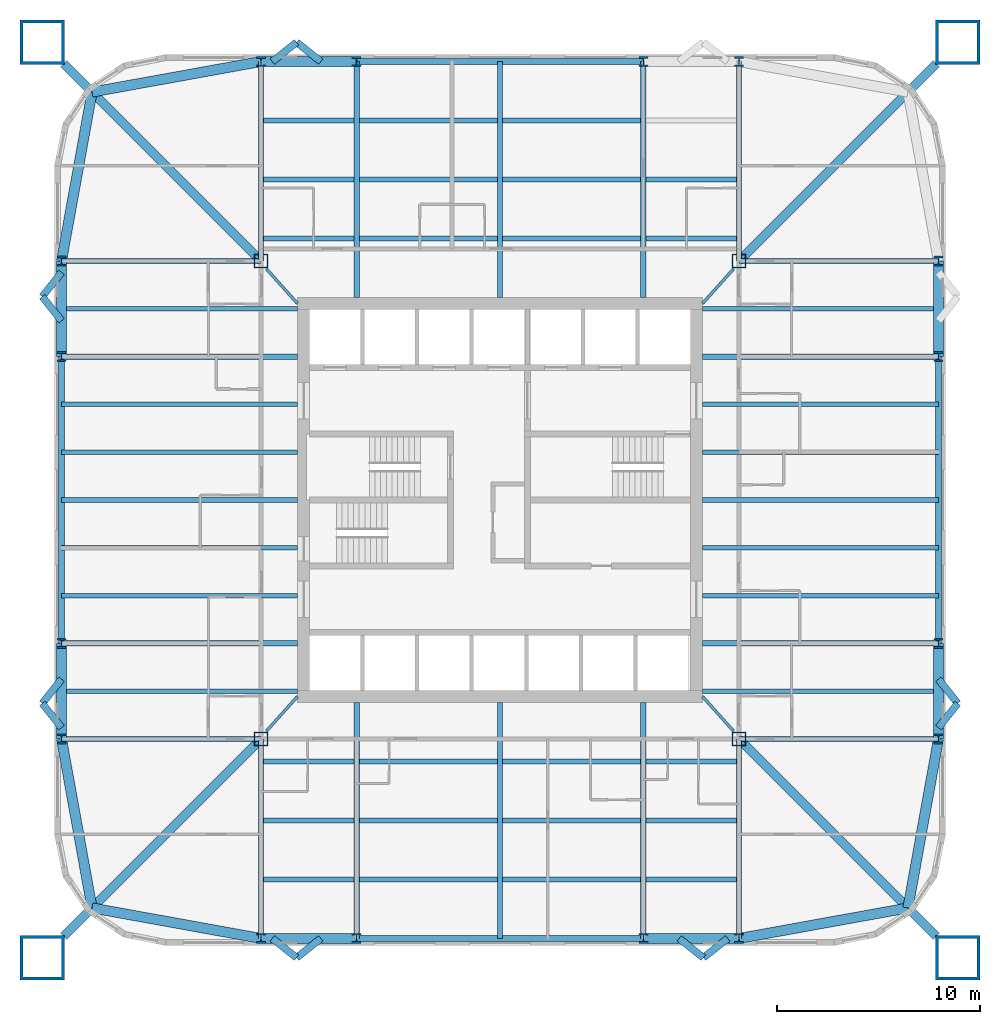
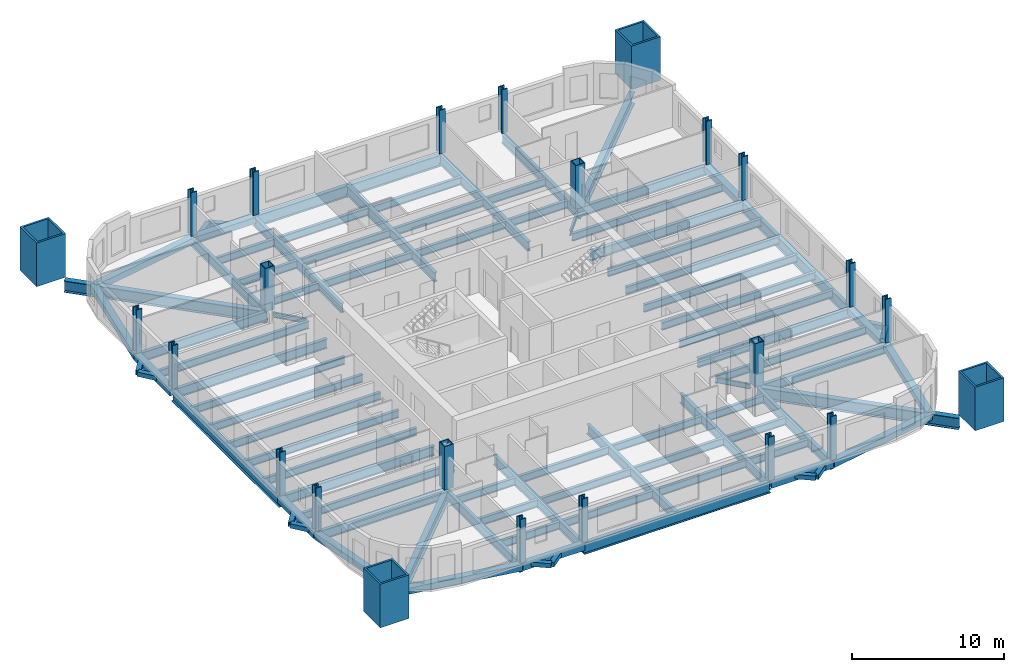
# One storey, part 1 of 9: 92 beams, 24 columns.
"""IFC4 building model written with IfcOpenShell, lengths in metres."""

from ifc_helpers import new_model, si_unit, direction, frame, origin, origin_2d, place, context, subcontext, project, spatial, hollow_rectangle, i_section, extrude, material, material_profile, profile_set, type_object, element, save


model = new_model("IFC4")

# Units and contexts
model_context = context("Model", 3, precision=1e-05, world=origin(), true_north=direction((0.0, 1.0)))
body_context = subcontext(model_context, "Body", "Model", "MODEL_VIEW")
ifc_project = project(units=[si_unit("LENGTHUNIT", "METRE"), si_unit("AREAUNIT", "SQUARE_METRE"), si_unit("VOLUMEUNIT", "CUBIC_METRE"), si_unit("PLANEANGLEUNIT", "RADIAN"), si_unit("MASSUNIT", "GRAM", prefix="KILO")], contexts=[model_context])

# Site, building, storey
site_placement = place(None, origin())
site = spatial("IfcSite", under=ifc_project, at=site_placement, CompositionType="ELEMENT")
building_placement = place(site_placement, origin())
building = spatial("IfcBuilding", under=site, at=building_placement, Name="Turquesa Mirador Hotel Tower", CompositionType="ELEMENT")
storey_placement = place(building_placement, frame((0.0, 0.0, 42.5)))
storey = spatial("IfcBuildingStorey", under=building, at=storey_placement, Name="L10", CompositionType="ELEMENT", Elevation=42.5)

# Columns
ifc_material_1 = material(Name="Steel ASTM A572 Grade 50", Category="steel")
ifc_material_profile_1 = material_profile(ifc_material_1, hollow_rectangle(XDim=0.699951171875, YDim=0.699951171875, WallThickness=0.06005859375, at=origin_2d()), Name="BOX700X700X60")
ifc_profile_set_1 = profile_set([ifc_material_profile_1], Name="Steel ASTM A572 Grade 50")
column_type_1 = type_object("IfcColumnType", Name="COLUMN BOX700X700X60", PredefinedType="COLUMN", material=ifc_profile_set_1)
for number, where, z_axis, x_axis, name in (
    (1, (43.199951171875, 33.199951171875, 0.0), (0.0, 0.0, 1.0), (1.0, 0.0, 0.0), "COL-L10-K--11.80--11.80"),
    (2, (43.199951171875, 56.800048828125, 0.0), (0.0, 0.0, 1.0), (1.0, 0.0, 0.0), "COL-L10-K--11.80-+11.80"),
    (3, (66.800048828125, 33.199951171875, 0.0), (0.0, 0.0, 1.0), (1.0, 0.0, 0.0), "COL-L10-K-+11.80--11.80"),
    (4, (66.800048828125, 56.800048828125, 0.0), (0.0, 0.0, 1.0), (1.0, 0.0, 0.0), "COL-L10-K-+11.80-+11.80"),
):
    element("IfcColumn", number, at=place(storey_placement, frame(where, z_axis=z_axis, x_axis=x_axis)), inside=storey, type_object=column_type_1, Name=name, PredefinedType="COLUMN", context=body_context, shape_type="SweptSolid", body=[
        extrude(hollow_rectangle(XDim=0.699951171875, YDim=0.699951171875, WallThickness=0.06005859375, at=origin_2d()), origin(), (0.0, 0.0, 1.0), 3.5),
    ])
ifc_material_2 = material(Name="Steel ASTM A992 Grade 50", Category="steel")
ifc_material_profile_2 = material_profile(ifc_material_2, i_section(OverallWidth=0.431884765625, OverallDepth=0.497802734375, WebThickness=0.0556640625, FlangeThickness=0.0888671875, at=origin_2d()), Name="W14X500")
ifc_profile_set_2 = profile_set([ifc_material_profile_2], Name="Steel ASTM A992 Grade 50")
column_type_2 = type_object("IfcColumnType", Name="COLUMN W14X500", PredefinedType="COLUMN", material=ifc_profile_set_2)
for number, where, z_axis, x_axis, name in (
    (5, (33.35009765625, 33.199951171875, 0.0), (0.0, 0.0, 1.0), (1.0, 0.0, 0.0), "COL-L10-P--21.65--11.80"),
    (6, (33.35009765625, 37.919921875, 0.0), (0.0, 0.0, 1.0), (1.0, 0.0, 0.0), "COL-L10-P--21.65--7.08"),
    (7, (33.35009765625, 52.080078125, 0.0), (0.0, 0.0, 1.0), (1.0, 0.0, 0.0), "COL-L10-P--21.65-+7.08"),
    (8, (33.35009765625, 56.800048828125, 0.0), (0.0, 0.0, 1.0), (1.0, 0.0, 0.0), "COL-L10-P--21.65-+11.80"),
    (9, (43.199951171875, 23.35009765625, 0.0), (0.0, 0.0, 1.0), (1.0, 0.0, 0.0), "COL-L10-P--11.80--21.65"),
    (10, (43.199951171875, 66.64990234375, 0.0), (0.0, 0.0, 1.0), (1.0, 0.0, 0.0), "COL-L10-P--11.80-+21.65"),
    (11, (47.919921875, 23.35009765625, 0.0), (0.0, 0.0, 1.0), (1.0, 0.0, 0.0), "COL-L10-P--7.08--21.65"),
    (12, (47.919921875, 66.64990234375, 0.0), (0.0, 0.0, 1.0), (1.0, 0.0, 0.0), "COL-L10-P--7.08-+21.65"),
    (13, (62.080078125, 23.35009765625, 0.0), (0.0, 0.0, 1.0), (1.0, 0.0, 0.0), "COL-L10-P-+7.08--21.65"),
    (14, (62.080078125, 66.64990234375, 0.0), (0.0, 0.0, 1.0), (1.0, 0.0, 0.0), "COL-L10-P-+7.08-+21.65"),
    (15, (66.800048828125, 23.35009765625, 0.0), (0.0, 0.0, 1.0), (1.0, 0.0, 0.0), "COL-L10-P-+11.80--21.65"),
    (16, (66.800048828125, 66.64990234375, 0.0), (0.0, 0.0, 1.0), (1.0, 0.0, 0.0), "COL-L10-P-+11.80-+21.65"),
    (17, (76.64990234375, 33.199951171875, 0.0), (0.0, 0.0, 1.0), (1.0, 0.0, 0.0), "COL-L10-P-+21.65--11.80"),
    (18, (76.64990234375, 37.919921875, 0.0), (0.0, 0.0, 1.0), (1.0, 0.0, 0.0), "COL-L10-P-+21.65--7.08"),
    (19, (76.64990234375, 52.080078125, 0.0), (0.0, 0.0, 1.0), (1.0, 0.0, 0.0), "COL-L10-P-+21.65-+7.08"),
    (20, (76.64990234375, 56.800048828125, 0.0), (0.0, 0.0, 1.0), (1.0, 0.0, 0.0), "COL-L10-P-+21.65-+11.80"),
):
    element("IfcColumn", number, at=place(storey_placement, frame(where, z_axis=z_axis, x_axis=x_axis)), inside=storey, type_object=column_type_2, Name=name, PredefinedType="COLUMN", context=body_context, shape_type="SweptSolid", body=[
        extrude(i_section(OverallWidth=0.431884765625, OverallDepth=0.497802734375, WebThickness=0.0556640625, FlangeThickness=0.0888671875, at=origin_2d()), origin(), (0.0, 0.0, 1.0), 3.5),
    ])
ifc_material_3 = material(Name="Steel ASTM A514 Grade Q", Category="steel")
ifc_material_profile_3 = material_profile(ifc_material_3, hollow_rectangle(XDim=2.199951171875, YDim=2.199951171875, WallThickness=0.14990234375, at=origin_2d()), Name="BOX2200X2200X150")
ifc_profile_set_3 = profile_set([ifc_material_profile_3], Name="Steel ASTM A514 Grade Q")
column_type_3 = type_object("IfcColumnType", Name="MEGA COLUMN BOX2200X2200X150", PredefinedType="COLUMN", material=ifc_profile_set_3)
for number, where, z_axis, x_axis, name in (
    (21, (77.60009765625, 67.60009765625, 0.0), (0.0, 0.0, 1.0), (1.0, 0.0, 0.0), "Mega column M1"),
    (22, (32.39990234375, 67.60009765625, 0.0), (0.0, 0.0, 1.0), (1.0, 0.0, 0.0), "Mega column M2"),
    (23, (32.39990234375, 22.39990234375, 0.0), (0.0, 0.0, 1.0), (1.0, 0.0, 0.0), "Mega column M3"),
    (24, (77.60009765625, 22.39990234375, 0.0), (0.0, 0.0, 1.0), (1.0, 0.0, 0.0), "Mega column M4"),
):
    element("IfcColumn", number, at=place(storey_placement, frame(where, z_axis=z_axis, x_axis=x_axis)), inside=storey, type_object=column_type_3, Name=name, PredefinedType="COLUMN", context=body_context, shape_type="SweptSolid", body=[
        extrude(hollow_rectangle(XDim=2.199951171875, YDim=2.199951171875, WallThickness=0.14990234375, at=origin_2d()), origin(), (0.0, 0.0, 1.0), 3.5),
    ])

# Beams
ifc_material_4 = material(Name="Steel ASTM A572 Grade 50", Category="steel")
ifc_material_profile_4 = material_profile(ifc_material_4, hollow_rectangle(XDim=0.5, YDim=0.5, WallThickness=0.01611328125, at=origin_2d()), Name="BOX500X500X16")
ifc_profile_set_4 = profile_set([ifc_material_profile_4], Name="Steel ASTM A572 Grade 50")
beam_type_1 = type_object("IfcBeamType", Name="BEAM BOX500X500X16", PredefinedType="BEAM", material=ifc_profile_set_4)
for number, where, z_axis, x_axis, name in (
    (25, (43.199951171875, 66.64990234375, -0.419921875), (1.0, 0.0, 0.0), (0.0, 1.0, 0.0), "EB-L10-N-L"),
    (26, (43.199951171875, 23.35009765625, -0.419921875), (1.0, 0.0, 0.0), (0.0, 1.0, 0.0), "EB-L10-S-L"),
    (27, (62.080078125, 23.35009765625, -0.419921875), (1.0, 0.0, 0.0), (0.0, 1.0, 0.0), "EB-L10-S-R"),
    (28, (76.64990234375, 33.199951171875, -0.419921875), (0.0, 1.0, 0.0), (-1.0, 0.0, 0.0), "EB-L10-E-L"),
    (29, (76.64990234375, 52.080078125, -0.419921875), (0.0, 1.0, 0.0), (-1.0, 0.0, 0.0), "EB-L10-E-R"),
    (30, (33.35009765625, 33.199951171875, -0.419921875), (0.0, 1.0, 0.0), (-1.0, 0.0, 0.0), "EB-L10-W-L"),
    (31, (33.35009765625, 52.080078125, -0.419921875), (0.0, 1.0, 0.0), (-1.0, 0.0, 0.0), "EB-L10-W-R"),
):
    element("IfcBeam", number, at=place(storey_placement, frame(where, z_axis=z_axis, x_axis=x_axis)), inside=storey, type_object=beam_type_1, Name=name, PredefinedType="BEAM", context=body_context, shape_type="SweptSolid", body=[
        extrude(hollow_rectangle(XDim=0.5, YDim=0.5, WallThickness=0.01611328125, at=origin_2d()), origin(), (0.0, 0.0, 1.0), 4.719970703125),
    ])
for number, where, z_axis, x_axis, name in (
    (32, (33.35009765625, 56.800048828125, -0.419921875), (0.177932387818, 0.984042715214, 0.0), (-0.984042715214, 0.177932387818, 0.0), "KE-L10-2-0"),
    (33, (34.8583984375, 65.1416015625, -0.419921875), (0.984042715214, 0.177932387818, 0.0), (-0.177932387818, 0.984042715214, 0.0), "KE-L10-2-1"),
    (34, (33.35009765625, 33.199951171875, -0.419921875), (0.177932387818, -0.984042715214, 0.0), (0.984042715214, 0.177932387818, 0.0), "KE-L10-3-0"),
    (35, (34.8583984375, 24.8583984375, -0.419921875), (0.984042715214, -0.177932387818, 0.0), (0.177932387818, 0.984042715214, 0.0), "KE-L10-3-1"),
    (36, (76.64990234375, 33.199951171875, -0.419921875), (-0.177932387818, -0.984042715214, 0.0), (0.984042715214, -0.177932387818, 0.0), "KE-L10-4-0"),
    (37, (75.1416015625, 24.8583984375, -0.419921875), (-0.984042715214, -0.177932387818, 0.0), (0.177932387818, -0.984042715214, 0.0), "KE-L10-4-1"),
):
    element("IfcBeam", number, at=place(storey_placement, frame(where, z_axis=z_axis, x_axis=x_axis)), inside=storey, type_object=beam_type_1, Name=name, PredefinedType="BEAM", context=body_context, shape_type="SweptSolid", body=[
        extrude(hollow_rectangle(XDim=0.5, YDim=0.5, WallThickness=0.01611328125, at=origin_2d()), origin(), (0.0, 0.0, 1.0), 8.476806640625),
    ])
ifc_material_5 = material(Name="Steel ASTM A992 Grade 50", Category="steel")
ifc_material_profile_5 = material_profile(ifc_material_5, i_section(OverallWidth=0.140380859375, OverallDepth=0.40380859375, WebThickness=0.007080078125, FlangeThickness=0.01123046875, at=origin_2d()), Name="W16X31")
ifc_profile_set_5 = profile_set([ifc_material_profile_5], Name="Steel ASTM A992 Grade 50")
beam_type_2 = type_object("IfcBeamType", Name="BEAM W16X31", PredefinedType="BEAM", material=ifc_profile_set_5)
for number, where, z_axis, x_axis, name in (
    (38, (66.529541015625, 56.40966796875, -0.371826171875), (-0.666745084392, -0.745285846129, 0.0), (0.745285846129, -0.666745084392, 0.0), "KT-L10-1"),
    (39, (43.470458984375, 56.40966796875, -0.371826171875), (0.666745084392, -0.745285846129, 0.0), (0.745285846129, 0.666745084392, 0.0), "KT-L10-2"),
    (40, (43.470458984375, 33.59033203125, -0.371826171875), (0.666745084392, 0.745285846129, 0.0), (-0.745285846129, 0.666745084392, 0.0), "KT-L10-3"),
    (41, (66.529541015625, 33.59033203125, -0.371826171875), (-0.666745084392, 0.745285846129, 0.0), (-0.745285846129, -0.666745084392, 0.0), "KT-L10-4"),
):
    element("IfcBeam", number, at=place(storey_placement, frame(where, z_axis=z_axis, x_axis=x_axis)), inside=storey, type_object=beam_type_2, Name=name, PredefinedType="BEAM", context=body_context, shape_type="SweptSolid", body=[
        extrude(i_section(OverallWidth=0.140380859375, OverallDepth=0.40380859375, WebThickness=0.007080078125, FlangeThickness=0.01123046875, at=origin_2d()), origin(), (0.0, 0.0, 1.0), 2.2939453125),
    ])
ifc_material_6 = material(Name="Steel ASTM A992 Grade 50", Category="steel")
ifc_material_profile_6 = material_profile(ifc_material_6, i_section(OverallWidth=0.228271484375, OverallDepth=0.607177734375, WebThickness=0.01123046875, FlangeThickness=0.017333984375, at=origin_2d()), Name="W24X76")
ifc_profile_set_6 = profile_set([ifc_material_profile_6], Name="Steel ASTM A992 Grade 50")
beam_type_3 = type_object("IfcBeamType", Name="BEAM W24X76", PredefinedType="BEAM", material=ifc_profile_set_6)
beam_1_placement = place(storey_placement, frame((43.333251953125, 57.912109375, -0.4736328125), z_axis=(1.0, 0.0, 0.0), x_axis=(0.0, 1.0, 0.0)))
element("IfcBeam", 42, at=beam_1_placement, inside=storey, type_object=beam_type_3, Name="IB-L10-N-1-0", PredefinedType="BEAM", context=body_context, shape_type="SweptSolid", body=[
    extrude(i_section(OverallWidth=0.228271484375, OverallDepth=0.607177734375, WebThickness=0.01123046875, FlangeThickness=0.017333984375, at=origin_2d()), origin(), (0.0, 0.0, 1.0), 4.453369140625),
])
for number, where, z_axis, x_axis, name in (
    (43, (48.053466796875, 57.912109375, -0.4736328125), (1.0, 0.0, 0.0), (0.0, 1.0, 0.0), "IB-L10-N-1-1"),
    (44, (55.13330078125, 57.912109375, -0.4736328125), (1.0, 0.0, 0.0), (0.0, 1.0, 0.0), "IB-L10-N-1-2"),
):
    element("IfcBeam", number, at=place(storey_placement, frame(where, z_axis=z_axis, x_axis=x_axis)), inside=storey, type_object=beam_type_3, Name=name, PredefinedType="BEAM", context=body_context, shape_type="SweptSolid", body=[
        extrude(i_section(OverallWidth=0.228271484375, OverallDepth=0.607177734375, WebThickness=0.01123046875, FlangeThickness=0.017333984375, at=origin_2d()), origin(), (0.0, 0.0, 1.0), 6.813232421875),
    ])
for number, where, z_axis, x_axis, name in (
    (45, (62.21337890625, 57.912109375, -0.4736328125), (1.0, 0.0, 0.0), (0.0, 1.0, 0.0), "IB-L10-N-1-3"),
    (46, (43.333251953125, 60.824951171875, -0.4736328125), (1.0, 0.0, 0.0), (0.0, 1.0, 0.0), "IB-L10-N-2-0"),
):
    element("IfcBeam", number, at=place(storey_placement, frame(where, z_axis=z_axis, x_axis=x_axis)), inside=storey, type_object=beam_type_3, Name=name, PredefinedType="BEAM", context=body_context, shape_type="SweptSolid", body=[
        extrude(i_section(OverallWidth=0.228271484375, OverallDepth=0.607177734375, WebThickness=0.01123046875, FlangeThickness=0.017333984375, at=origin_2d()), origin(), (0.0, 0.0, 1.0), 4.453369140625),
    ])
for number, where, z_axis, x_axis, name in (
    (47, (48.053466796875, 60.824951171875, -0.4736328125), (1.0, 0.0, 0.0), (0.0, 1.0, 0.0), "IB-L10-N-2-1"),
    (48, (55.13330078125, 60.824951171875, -0.4736328125), (1.0, 0.0, 0.0), (0.0, 1.0, 0.0), "IB-L10-N-2-2"),
):
    element("IfcBeam", number, at=place(storey_placement, frame(where, z_axis=z_axis, x_axis=x_axis)), inside=storey, type_object=beam_type_3, Name=name, PredefinedType="BEAM", context=body_context, shape_type="SweptSolid", body=[
        extrude(i_section(OverallWidth=0.228271484375, OverallDepth=0.607177734375, WebThickness=0.01123046875, FlangeThickness=0.017333984375, at=origin_2d()), origin(), (0.0, 0.0, 1.0), 6.813232421875),
    ])
for number, where, z_axis, x_axis, name in (
    (49, (62.21337890625, 60.824951171875, -0.4736328125), (1.0, 0.0, 0.0), (0.0, 1.0, 0.0), "IB-L10-N-2-3"),
    (50, (43.333251953125, 63.737060546875, -0.4736328125), (1.0, 0.0, 0.0), (0.0, 1.0, 0.0), "IB-L10-N-3-0"),
):
    element("IfcBeam", number, at=place(storey_placement, frame(where, z_axis=z_axis, x_axis=x_axis)), inside=storey, type_object=beam_type_3, Name=name, PredefinedType="BEAM", context=body_context, shape_type="SweptSolid", body=[
        extrude(i_section(OverallWidth=0.228271484375, OverallDepth=0.607177734375, WebThickness=0.01123046875, FlangeThickness=0.017333984375, at=origin_2d()), origin(), (0.0, 0.0, 1.0), 4.453369140625),
    ])
for number, where, z_axis, x_axis, name in (
    (51, (48.053466796875, 63.737060546875, -0.4736328125), (1.0, 0.0, 0.0), (0.0, 1.0, 0.0), "IB-L10-N-3-1"),
    (52, (55.13330078125, 63.737060546875, -0.4736328125), (1.0, 0.0, 0.0), (0.0, 1.0, 0.0), "IB-L10-N-3-2"),
):
    element("IfcBeam", number, at=place(storey_placement, frame(where, z_axis=z_axis, x_axis=x_axis)), inside=storey, type_object=beam_type_3, Name=name, PredefinedType="BEAM", context=body_context, shape_type="SweptSolid", body=[
        extrude(i_section(OverallWidth=0.228271484375, OverallDepth=0.607177734375, WebThickness=0.01123046875, FlangeThickness=0.017333984375, at=origin_2d()), origin(), (0.0, 0.0, 1.0), 6.813232421875),
    ])
beam_2_placement = place(storey_placement, frame((43.333251953125, 32.087890625, -0.4736328125), z_axis=(1.0, 0.0, 0.0), x_axis=(0.0, 1.0, 0.0)))
element("IfcBeam", 53, at=beam_2_placement, inside=storey, type_object=beam_type_3, Name="IB-L10-S-1-0", PredefinedType="BEAM", context=body_context, shape_type="SweptSolid", body=[
    extrude(i_section(OverallWidth=0.228271484375, OverallDepth=0.607177734375, WebThickness=0.01123046875, FlangeThickness=0.017333984375, at=origin_2d()), origin(), (0.0, 0.0, 1.0), 4.453369140625),
])
for number, where, z_axis, x_axis, name in (
    (54, (48.053466796875, 32.087890625, -0.4736328125), (1.0, 0.0, 0.0), (0.0, 1.0, 0.0), "IB-L10-S-1-1"),
    (55, (55.13330078125, 32.087890625, -0.4736328125), (1.0, 0.0, 0.0), (0.0, 1.0, 0.0), "IB-L10-S-1-2"),
):
    element("IfcBeam", number, at=place(storey_placement, frame(where, z_axis=z_axis, x_axis=x_axis)), inside=storey, type_object=beam_type_3, Name=name, PredefinedType="BEAM", context=body_context, shape_type="SweptSolid", body=[
        extrude(i_section(OverallWidth=0.228271484375, OverallDepth=0.607177734375, WebThickness=0.01123046875, FlangeThickness=0.017333984375, at=origin_2d()), origin(), (0.0, 0.0, 1.0), 6.813232421875),
    ])
for number, where, z_axis, x_axis, name in (
    (56, (62.21337890625, 32.087890625, -0.4736328125), (1.0, 0.0, 0.0), (0.0, 1.0, 0.0), "IB-L10-S-1-3"),
    (57, (43.333251953125, 29.175048828125, -0.4736328125), (1.0, 0.0, 0.0), (0.0, 1.0, 0.0), "IB-L10-S-2-0"),
):
    element("IfcBeam", number, at=place(storey_placement, frame(where, z_axis=z_axis, x_axis=x_axis)), inside=storey, type_object=beam_type_3, Name=name, PredefinedType="BEAM", context=body_context, shape_type="SweptSolid", body=[
        extrude(i_section(OverallWidth=0.228271484375, OverallDepth=0.607177734375, WebThickness=0.01123046875, FlangeThickness=0.017333984375, at=origin_2d()), origin(), (0.0, 0.0, 1.0), 4.453369140625),
    ])
for number, where, z_axis, x_axis, name in (
    (58, (48.053466796875, 29.175048828125, -0.4736328125), (1.0, 0.0, 0.0), (0.0, 1.0, 0.0), "IB-L10-S-2-1"),
    (59, (55.13330078125, 29.175048828125, -0.4736328125), (1.0, 0.0, 0.0), (0.0, 1.0, 0.0), "IB-L10-S-2-2"),
):
    element("IfcBeam", number, at=place(storey_placement, frame(where, z_axis=z_axis, x_axis=x_axis)), inside=storey, type_object=beam_type_3, Name=name, PredefinedType="BEAM", context=body_context, shape_type="SweptSolid", body=[
        extrude(i_section(OverallWidth=0.228271484375, OverallDepth=0.607177734375, WebThickness=0.01123046875, FlangeThickness=0.017333984375, at=origin_2d()), origin(), (0.0, 0.0, 1.0), 6.813232421875),
    ])
for number, where, z_axis, x_axis, name in (
    (60, (62.21337890625, 29.175048828125, -0.4736328125), (1.0, 0.0, 0.0), (0.0, 1.0, 0.0), "IB-L10-S-2-3"),
    (61, (43.333251953125, 26.262939453125, -0.4736328125), (1.0, 0.0, 0.0), (0.0, 1.0, 0.0), "IB-L10-S-3-0"),
):
    element("IfcBeam", number, at=place(storey_placement, frame(where, z_axis=z_axis, x_axis=x_axis)), inside=storey, type_object=beam_type_3, Name=name, PredefinedType="BEAM", context=body_context, shape_type="SweptSolid", body=[
        extrude(i_section(OverallWidth=0.228271484375, OverallDepth=0.607177734375, WebThickness=0.01123046875, FlangeThickness=0.017333984375, at=origin_2d()), origin(), (0.0, 0.0, 1.0), 4.453369140625),
    ])
for number, where, z_axis, x_axis, name in (
    (62, (48.053466796875, 26.262939453125, -0.4736328125), (1.0, 0.0, 0.0), (0.0, 1.0, 0.0), "IB-L10-S-3-1"),
    (63, (55.13330078125, 26.262939453125, -0.4736328125), (1.0, 0.0, 0.0), (0.0, 1.0, 0.0), "IB-L10-S-3-2"),
):
    element("IfcBeam", number, at=place(storey_placement, frame(where, z_axis=z_axis, x_axis=x_axis)), inside=storey, type_object=beam_type_3, Name=name, PredefinedType="BEAM", context=body_context, shape_type="SweptSolid", body=[
        extrude(i_section(OverallWidth=0.228271484375, OverallDepth=0.607177734375, WebThickness=0.01123046875, FlangeThickness=0.017333984375, at=origin_2d()), origin(), (0.0, 0.0, 1.0), 6.813232421875),
    ])
beam_3_placement = place(storey_placement, frame((62.21337890625, 26.262939453125, -0.4736328125), z_axis=(1.0, 0.0, 0.0), x_axis=(0.0, 1.0, 0.0)))
element("IfcBeam", 64, at=beam_3_placement, inside=storey, type_object=beam_type_3, Name="IB-L10-S-3-3", PredefinedType="BEAM", context=body_context, shape_type="SweptSolid", body=[
    extrude(i_section(OverallWidth=0.228271484375, OverallDepth=0.607177734375, WebThickness=0.01123046875, FlangeThickness=0.017333984375, at=origin_2d()), origin(), (0.0, 0.0, 1.0), 4.453369140625),
])
for number, where, z_axis, x_axis, name in (
    (65, (76.64990234375, 35.56005859375, -0.4736328125), (-1.0, 0.0, 0.0), (0.0, -1.0, 0.0), "BM-L10-E--9.44"),
    (66, (76.64990234375, 40.280029296875, -0.4736328125), (-1.0, 0.0, 0.0), (0.0, -1.0, 0.0), "BM-L10-E--4.72"),
    (67, (76.64990234375, 42.639892578125, -0.4736328125), (-1.0, 0.0, 0.0), (0.0, -1.0, 0.0), "BM-L10-E--2.36"),
    (68, (76.64990234375, 45.0, -0.4736328125), (-1.0, 0.0, 0.0), (0.0, -1.0, 0.0), "BM-L10-E-+0.00"),
    (69, (76.64990234375, 47.360107421875, -0.4736328125), (-1.0, 0.0, 0.0), (0.0, -1.0, 0.0), "BM-L10-E-+2.36"),
    (70, (76.64990234375, 49.719970703125, -0.4736328125), (-1.0, 0.0, 0.0), (0.0, -1.0, 0.0), "BM-L10-E-+4.72"),
    (71, (76.64990234375, 54.43994140625, -0.4736328125), (-1.0, 0.0, 0.0), (0.0, -1.0, 0.0), "BM-L10-E-+9.44"),
    (72, (33.35009765625, 35.56005859375, -0.4736328125), (1.0, 0.0, 0.0), (0.0, 1.0, 0.0), "BM-L10-W--9.44"),
    (73, (33.35009765625, 40.280029296875, -0.4736328125), (1.0, 0.0, 0.0), (0.0, 1.0, 0.0), "BM-L10-W--4.72"),
    (74, (33.35009765625, 42.639892578125, -0.4736328125), (1.0, 0.0, 0.0), (0.0, 1.0, 0.0), "BM-L10-W--2.36"),
    (75, (33.35009765625, 45.0, -0.4736328125), (1.0, 0.0, 0.0), (0.0, 1.0, 0.0), "BM-L10-W-+0.00"),
    (76, (33.35009765625, 47.360107421875, -0.4736328125), (1.0, 0.0, 0.0), (0.0, 1.0, 0.0), "BM-L10-W-+2.36"),
    (77, (33.35009765625, 49.719970703125, -0.4736328125), (1.0, 0.0, 0.0), (0.0, 1.0, 0.0), "BM-L10-W-+4.72"),
    (78, (33.35009765625, 54.43994140625, -0.4736328125), (1.0, 0.0, 0.0), (0.0, 1.0, 0.0), "BM-L10-W-+9.44"),
):
    element("IfcBeam", number, at=place(storey_placement, frame(where, z_axis=z_axis, x_axis=x_axis)), inside=storey, type_object=beam_type_3, Name=name, PredefinedType="BEAM", context=body_context, shape_type="SweptSolid", body=[
        extrude(i_section(OverallWidth=0.228271484375, OverallDepth=0.607177734375, WebThickness=0.01123046875, FlangeThickness=0.017333984375, at=origin_2d()), origin(), (0.0, 0.0, 1.0), 11.64990234375),
    ])
ifc_material_7 = material(Name="Steel ASTM A992 Grade 50", Category="steel")
ifc_material_profile_7 = material_profile(ifc_material_7, i_section(OverallWidth=0.2666015625, OverallDepth=0.7568359375, WebThickness=0.013916015625, FlangeThickness=0.019287109375, at=origin_2d()), Name="W30X108")
ifc_profile_set_7 = profile_set([ifc_material_profile_7], Name="Steel ASTM A992 Grade 50")
beam_type_4 = type_object("IfcBeamType", Name="BEAM W30X108", PredefinedType="BEAM", material=ifc_profile_set_7)
for number, where, z_axis, x_axis, name in (
    (79, (47.919921875, 66.64990234375, -0.54833984375), (0.0, -1.0, 0.0), (1.0, 0.0, 0.0), "GD-L10-N--7.08"),
    (80, (62.080078125, 66.64990234375, -0.54833984375), (0.0, -1.0, 0.0), (1.0, 0.0, 0.0), "GD-L10-N-+7.08"),
    (81, (55.0, 66.64990234375, -0.54833984375), (0.0, -1.0, 0.0), (1.0, 0.0, 0.0), "GD-L10-N-+0.00"),
):
    element("IfcBeam", number, at=place(storey_placement, frame(where, z_axis=z_axis, x_axis=x_axis)), inside=storey, type_object=beam_type_4, Name=name, PredefinedType="BEAM", context=body_context, shape_type="SweptSolid", body=[
        extrude(i_section(OverallWidth=0.2666015625, OverallDepth=0.7568359375, WebThickness=0.013916015625, FlangeThickness=0.019287109375, at=origin_2d()), origin(), (0.0, 0.0, 1.0), 11.64990234375),
    ])
for number, where, z_axis, x_axis, name in (
    (82, (43.199951171875, 66.64990234375, -0.54833984375), (0.0, -1.0, 0.0), (1.0, 0.0, 0.0), "GK-L10-N--11.80"),
    (83, (66.800048828125, 66.64990234375, -0.54833984375), (0.0, -1.0, 0.0), (1.0, 0.0, 0.0), "GK-L10-N-+11.80"),
):
    element("IfcBeam", number, at=place(storey_placement, frame(where, z_axis=z_axis, x_axis=x_axis)), inside=storey, type_object=beam_type_4, Name=name, PredefinedType="BEAM", context=body_context, shape_type="SweptSolid", body=[
        extrude(i_section(OverallWidth=0.2666015625, OverallDepth=0.7568359375, WebThickness=0.013916015625, FlangeThickness=0.019287109375, at=origin_2d()), origin(), (0.0, 0.0, 1.0), 9.849853515625),
    ])
for number, where, z_axis, x_axis, name in (
    (84, (47.919921875, 23.35009765625, -0.54833984375), (0.0, 1.0, 0.0), (-1.0, 0.0, 0.0), "GD-L10-S--7.08"),
    (85, (62.080078125, 23.35009765625, -0.54833984375), (0.0, 1.0, 0.0), (-1.0, 0.0, 0.0), "GD-L10-S-+7.08"),
    (86, (55.0, 23.35009765625, -0.54833984375), (0.0, 1.0, 0.0), (-1.0, 0.0, 0.0), "GD-L10-S-+0.00"),
):
    element("IfcBeam", number, at=place(storey_placement, frame(where, z_axis=z_axis, x_axis=x_axis)), inside=storey, type_object=beam_type_4, Name=name, PredefinedType="BEAM", context=body_context, shape_type="SweptSolid", body=[
        extrude(i_section(OverallWidth=0.2666015625, OverallDepth=0.7568359375, WebThickness=0.013916015625, FlangeThickness=0.019287109375, at=origin_2d()), origin(), (0.0, 0.0, 1.0), 11.64990234375),
    ])
for number, where, z_axis, x_axis, name in (
    (87, (43.199951171875, 23.35009765625, -0.54833984375), (0.0, 1.0, 0.0), (-1.0, 0.0, 0.0), "GK-L10-S--11.80"),
    (88, (66.800048828125, 23.35009765625, -0.54833984375), (0.0, 1.0, 0.0), (-1.0, 0.0, 0.0), "GK-L10-S-+11.80"),
):
    element("IfcBeam", number, at=place(storey_placement, frame(where, z_axis=z_axis, x_axis=x_axis)), inside=storey, type_object=beam_type_4, Name=name, PredefinedType="BEAM", context=body_context, shape_type="SweptSolid", body=[
        extrude(i_section(OverallWidth=0.2666015625, OverallDepth=0.7568359375, WebThickness=0.013916015625, FlangeThickness=0.019287109375, at=origin_2d()), origin(), (0.0, 0.0, 1.0), 9.849853515625),
    ])
for number, where, z_axis, x_axis, name in (
    (89, (76.64990234375, 37.919921875, -0.54833984375), (-1.0, 0.0, 0.0), (0.0, -1.0, 0.0), "GD-L10-E--7.08"),
    (90, (76.64990234375, 52.080078125, -0.54833984375), (-1.0, 0.0, 0.0), (0.0, -1.0, 0.0), "GD-L10-E-+7.08"),
):
    element("IfcBeam", number, at=place(storey_placement, frame(where, z_axis=z_axis, x_axis=x_axis)), inside=storey, type_object=beam_type_4, Name=name, PredefinedType="BEAM", context=body_context, shape_type="SweptSolid", body=[
        extrude(i_section(OverallWidth=0.2666015625, OverallDepth=0.7568359375, WebThickness=0.013916015625, FlangeThickness=0.019287109375, at=origin_2d()), origin(), (0.0, 0.0, 1.0), 11.64990234375),
    ])
for number, where, z_axis, x_axis, name in (
    (91, (76.64990234375, 33.199951171875, -0.54833984375), (-1.0, 0.0, 0.0), (0.0, -1.0, 0.0), "GK-L10-E--11.80"),
    (92, (76.64990234375, 56.800048828125, -0.54833984375), (-1.0, 0.0, 0.0), (0.0, -1.0, 0.0), "GK-L10-E-+11.80"),
):
    element("IfcBeam", number, at=place(storey_placement, frame(where, z_axis=z_axis, x_axis=x_axis)), inside=storey, type_object=beam_type_4, Name=name, PredefinedType="BEAM", context=body_context, shape_type="SweptSolid", body=[
        extrude(i_section(OverallWidth=0.2666015625, OverallDepth=0.7568359375, WebThickness=0.013916015625, FlangeThickness=0.019287109375, at=origin_2d()), origin(), (0.0, 0.0, 1.0), 9.849853515625),
    ])
for number, where, z_axis, x_axis, name in (
    (93, (33.35009765625, 37.919921875, -0.54833984375), (1.0, 0.0, 0.0), (0.0, 1.0, 0.0), "GD-L10-W--7.08"),
    (94, (33.35009765625, 52.080078125, -0.54833984375), (1.0, 0.0, 0.0), (0.0, 1.0, 0.0), "GD-L10-W-+7.08"),
):
    element("IfcBeam", number, at=place(storey_placement, frame(where, z_axis=z_axis, x_axis=x_axis)), inside=storey, type_object=beam_type_4, Name=name, PredefinedType="BEAM", context=body_context, shape_type="SweptSolid", body=[
        extrude(i_section(OverallWidth=0.2666015625, OverallDepth=0.7568359375, WebThickness=0.013916015625, FlangeThickness=0.019287109375, at=origin_2d()), origin(), (0.0, 0.0, 1.0), 11.64990234375),
    ])
for number, where, z_axis, x_axis, name in (
    (95, (33.35009765625, 33.199951171875, -0.54833984375), (1.0, 0.0, 0.0), (0.0, 1.0, 0.0), "GK-L10-W--11.80"),
    (96, (33.35009765625, 56.800048828125, -0.54833984375), (1.0, 0.0, 0.0), (0.0, 1.0, 0.0), "GK-L10-W-+11.80"),
):
    element("IfcBeam", number, at=place(storey_placement, frame(where, z_axis=z_axis, x_axis=x_axis)), inside=storey, type_object=beam_type_4, Name=name, PredefinedType="BEAM", context=body_context, shape_type="SweptSolid", body=[
        extrude(i_section(OverallWidth=0.2666015625, OverallDepth=0.7568359375, WebThickness=0.013916015625, FlangeThickness=0.019287109375, at=origin_2d()), origin(), (0.0, 0.0, 1.0), 9.849853515625),
    ])
ifc_material_8 = material(Name="Steel ASTM A992 Grade 50", Category="steel")
ifc_material_profile_8 = material_profile(ifc_material_8, i_section(OverallWidth=0.3046875, OverallDepth=0.911865234375, WebThickness=0.015869140625, FlangeThickness=0.02392578125, at=origin_2d()), Name="W36X150")
ifc_profile_set_8 = profile_set([ifc_material_profile_8], Name="Steel ASTM A992 Grade 50")
beam_type_5 = type_object("IfcBeamType", Name="BEAM W36X150", PredefinedType="BEAM", material=ifc_profile_set_8)
for number, where, z_axis, x_axis, name in (
    (97, (47.919921875, 66.64990234375, -0.6259765625), (1.0, 0.0, 0.0), (0.0, 1.0, 0.0), "EB-L10-N-C"),
    (98, (47.919921875, 23.35009765625, -0.6259765625), (1.0, 0.0, 0.0), (0.0, 1.0, 0.0), "EB-L10-S-C"),
    (99, (76.64990234375, 37.919921875, -0.6259765625), (0.0, 1.0, 0.0), (-1.0, 0.0, 0.0), "EB-L10-E-C"),
    (100, (33.35009765625, 37.919921875, -0.6259765625), (0.0, 1.0, 0.0), (-1.0, 0.0, 0.0), "EB-L10-W-C"),
):
    element("IfcBeam", number, at=place(storey_placement, frame(where, z_axis=z_axis, x_axis=x_axis)), inside=storey, type_object=beam_type_5, Name=name, PredefinedType="BEAM", context=body_context, shape_type="SweptSolid", body=[
        extrude(i_section(OverallWidth=0.3046875, OverallDepth=0.911865234375, WebThickness=0.015869140625, FlangeThickness=0.02392578125, at=origin_2d()), origin(), (0.0, 0.0, 1.0), 14.16015625),
    ])
ifc_material_9 = material(Name="Steel ASTM A992 Grade 50", Category="steel")
ifc_material_profile_9 = material_profile(ifc_material_9, i_section(OverallWidth=0.419189453125, OverallDepth=0.927001953125, WebThickness=0.019287109375, FlangeThickness=0.031982421875, at=origin_2d()), Name="W36X231")
ifc_profile_set_9 = profile_set([ifc_material_profile_9], Name="Steel ASTM A992 Grade 50")
beam_type_6 = type_object("IfcBeamType", Name="BEAM W36X231", PredefinedType="BEAM", material=ifc_profile_set_9)
for number, where, z_axis, x_axis, name in (
    (101, (66.800048828125, 56.800048828125, -0.633544921875), (0.707106781187, 0.707106781187, 0.0), (-0.707106781187, 0.707106781187, 0.0), "KD-L10-1"),
    (102, (43.199951171875, 56.800048828125, -0.633544921875), (-0.707106781187, 0.707106781187, 0.0), (-0.707106781187, -0.707106781187, 0.0), "KD-L10-2"),
    (103, (43.199951171875, 33.199951171875, -0.633544921875), (-0.707106781187, -0.707106781187, 0.0), (0.707106781187, -0.707106781187, 0.0), "KD-L10-3"),
    (104, (66.800048828125, 33.199951171875, -0.633544921875), (0.707106781187, -0.707106781187, 0.0), (0.707106781187, 0.707106781187, 0.0), "KD-L10-4"),
):
    element("IfcBeam", number, at=place(storey_placement, frame(where, z_axis=z_axis, x_axis=x_axis)), inside=storey, type_object=beam_type_6, Name=name, PredefinedType="BEAM", context=body_context, shape_type="SweptSolid", body=[
        extrude(i_section(OverallWidth=0.419189453125, OverallDepth=0.927001953125, WebThickness=0.019287109375, FlangeThickness=0.031982421875, at=origin_2d()), origin(), (0.0, 0.0, 1.0), 13.78857421875),
    ])
ifc_material_10 = material(Name="Steel ASTM A500 Grade C", Category="steel")
ifc_material_profile_10 = material_profile(ifc_material_10, hollow_rectangle(XDim=0.355712890625, YDim=0.355712890625, WallThickness=0.0146484375, at=origin_2d()), Name="HSS14X14X5/8")
ifc_profile_set_10 = profile_set([ifc_material_profile_10], Name="Steel ASTM A500 Grade C")
beam_type_7 = type_object("IfcBeamType", Name="BRACE STRUT HSS14X14X5/8", PredefinedType="BEAM", material=ifc_profile_set_10)
for number, where, z_axis, x_axis, name in (
    (105, (44.95556640625, 67.60009765625, -0.347900390625), (-0.783971428146, -0.620796907089, 0.0), (0.620796907089, -0.783971428146, 0.0), "Brace strut"),
    (106, (44.95556640625, 67.60009765625, -0.347900390625), (0.783971428146, -0.620796907089, 0.0), (0.620796907089, 0.783971428146, 0.0), "Brace strut"),
    (107, (44.95556640625, 22.39990234375, -0.347900390625), (-0.783971428146, 0.620796907089, 0.0), (-0.620796907089, -0.783971428146, 0.0), "Brace strut"),
    (108, (44.95556640625, 22.39990234375, -0.347900390625), (0.783971428146, 0.620796907089, 0.0), (-0.620796907089, 0.783971428146, 0.0), "Brace strut"),
    (109, (65.04443359375, 22.39990234375, -0.347900390625), (-0.783971428146, 0.620796907089, 0.0), (-0.620796907089, -0.783971428146, 0.0), "Brace strut"),
    (110, (65.04443359375, 22.39990234375, -0.347900390625), (0.783971428146, 0.620796907089, 0.0), (-0.620796907089, 0.783971428146, 0.0), "Brace strut"),
    (111, (77.60009765625, 34.95556640625, -0.347900390625), (-0.620796907089, -0.783971428146, 0.0), (0.783971428146, -0.620796907089, 0.0), "Brace strut"),
    (112, (77.60009765625, 34.95556640625, -0.347900390625), (-0.620796907089, 0.783971428146, 0.0), (-0.783971428146, -0.620796907089, 0.0), "Brace strut"),
    (113, (32.39990234375, 34.95556640625, -0.347900390625), (0.620796907089, -0.783971428146, 0.0), (0.783971428146, 0.620796907089, 0.0), "Brace strut"),
    (114, (32.39990234375, 34.95556640625, -0.347900390625), (0.620796907089, 0.783971428146, 0.0), (-0.783971428146, 0.620796907089, 0.0), "Brace strut"),
    (115, (32.39990234375, 55.04443359375, -0.347900390625), (0.620796907089, -0.783971428146, 0.0), (0.783971428146, 0.620796907089, 0.0), "Brace strut"),
    (116, (32.39990234375, 55.04443359375, -0.347900390625), (0.620796907089, 0.783971428146, 0.0), (-0.783971428146, 0.620796907089, 0.0), "Brace strut"),
):
    element("IfcBeam", number, at=place(storey_placement, frame(where, z_axis=z_axis, x_axis=x_axis)), inside=storey, type_object=beam_type_7, Name=name, PredefinedType="BEAM", context=body_context, shape_type="SweptSolid", body=[
        extrude(hollow_rectangle(XDim=0.355712890625, YDim=0.355712890625, WallThickness=0.0146484375, at=origin_2d()), origin(), (0.0, 0.0, 1.0), 1.530517578125),
    ])

save(model, "model.ifc")
